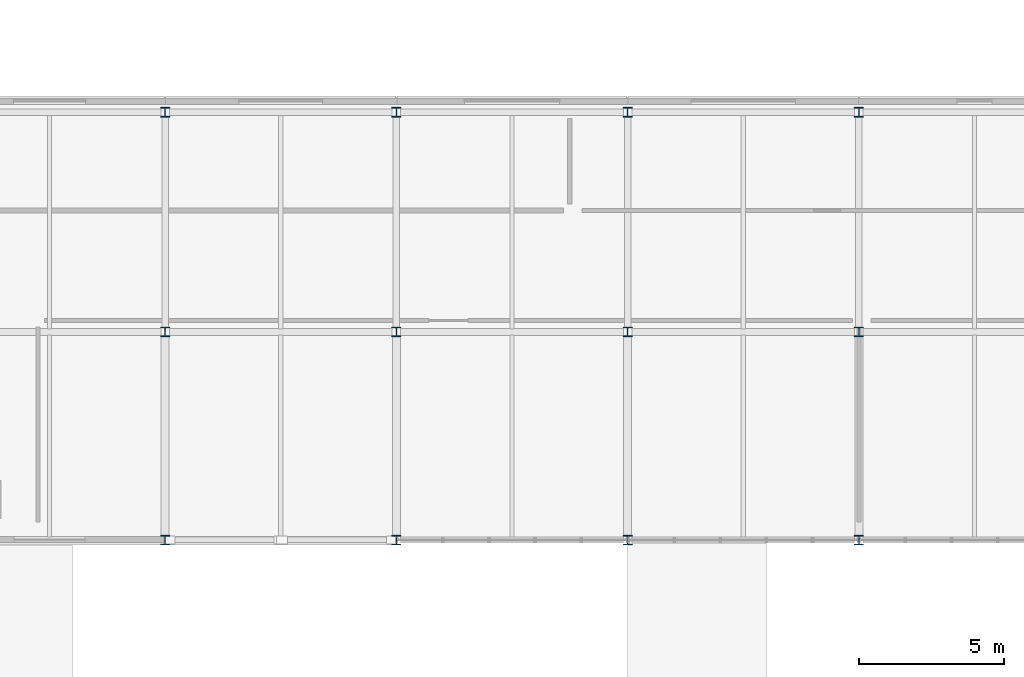
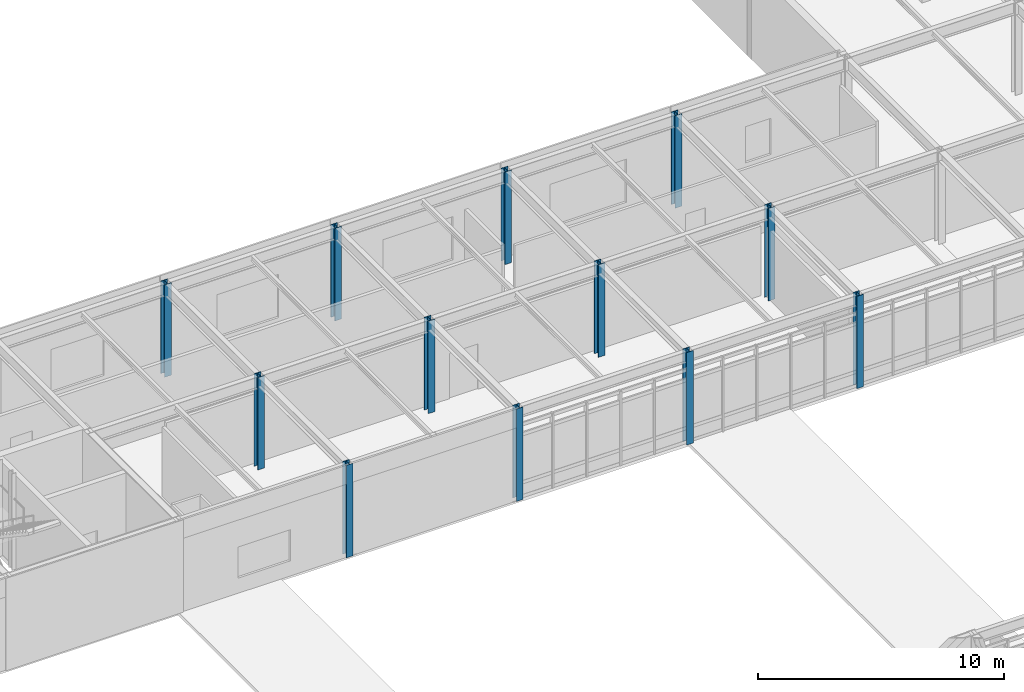
# One storey, part 6 of 100: 12 columns.
"""IFC4 building model written with IfcOpenShell, lengths in metres."""

from ifc_helpers import new_model, si_unit, direction, frame, origin, origin_2d, place, context, subcontext, project, spatial, i_section, extrude, material, material_profile, profile_set, type_object, element, save


model = new_model("IFC4")

# Units and contexts
model_context = context("Model", 3, precision=1e-05, world=origin(), true_north=direction((0.0, 1.0)))
body_context = subcontext(model_context, "Body", "Model", "MODEL_VIEW")
ifc_project = project(units=[si_unit("LENGTHUNIT", "METRE"), si_unit("AREAUNIT", "SQUARE_METRE"), si_unit("VOLUMEUNIT", "CUBIC_METRE"), si_unit("PLANEANGLEUNIT", "RADIAN"), si_unit("MASSUNIT", "GRAM", prefix="KILO")], contexts=[model_context])

# Site, building, storey
site_placement = place(None, origin())
site = spatial("IfcSite", under=ifc_project, at=site_placement, CompositionType="ELEMENT")
building_placement = place(site_placement, origin())
building = spatial("IfcBuilding", under=site, at=building_placement, Name="Zulena Civic Courthouse", CompositionType="ELEMENT")
storey_placement = place(building_placement, frame((0.0, 0.0, 20.39990234375)))
storey = spatial("IfcBuildingStorey", under=building, at=storey_placement, Name="L04", CompositionType="ELEMENT", Elevation=20.39990234375)

# Columns
ifc_material = material(Name="Steel ASTM A992 Grade 50", Category="steel")
ifc_material_profile_1 = material_profile(ifc_material, i_section(OverallWidth=0.31298828125, OverallDepth=0.3330078125, WebThickness=0.01806640625, FlangeThickness=0.0283203125, FilletRadius=0.01513671875, at=origin_2d()), Name="W12X120")
ifc_profile_set_1 = profile_set([ifc_material_profile_1], Name="Steel ASTM A992 Grade 50")
column_type_1 = type_object("IfcColumnType", Name="Col_W12X120", PredefinedType="COLUMN", material=ifc_profile_set_1)
for number, where, z_axis, x_axis, name in (
    (1, (36.0, 53.199951171875, 0.0), (0.0, 0.0, 1.0), (1.0, 0.0, 0.0), "col:V5:L04:36.0:53.2"),
    (2, (36.0, 60.800048828125, 0.0), (0.0, 0.0, 1.0), (1.0, 0.0, 0.0), "col:V5:L04:36.0:60.8"),
    (3, (44.0, 53.199951171875, 0.0), (0.0, 0.0, 1.0), (1.0, 0.0, 0.0), "col:V5:L04:44.0:53.2"),
    (4, (44.0, 60.800048828125, 0.0), (0.0, 0.0, 1.0), (1.0, 0.0, 0.0), "col:V5:L04:44.0:60.8"),
    (5, (52.0, 53.199951171875, 0.0), (0.0, 0.0, 1.0), (1.0, 0.0, 0.0), "col:V5:L04:52.0:53.2"),
    (6, (52.0, 60.800048828125, 0.0), (0.0, 0.0, 1.0), (1.0, 0.0, 0.0), "col:V5:L04:52.0:60.8"),
    (7, (60.0, 53.199951171875, 0.0), (0.0, 0.0, 1.0), (1.0, 0.0, 0.0), "col:V5:L04:60.0:53.2"),
    (8, (60.0, 60.800048828125, 0.0), (0.0, 0.0, 1.0), (1.0, 0.0, 0.0), "col:V5:L04:60.0:60.8"),
):
    element("IfcColumn", number, at=place(storey_placement, frame(where, z_axis=z_axis, x_axis=x_axis)), inside=storey, type_object=column_type_1, Name=name, PredefinedType="COLUMN", context=body_context, shape_type="SweptSolid", body=[
        extrude(i_section(OverallWidth=0.31298828125, OverallDepth=0.3330078125, WebThickness=0.01806640625, FlangeThickness=0.0283203125, FilletRadius=0.01513671875, at=origin_2d()), origin(), (0.0, 0.0, 1.0), 4.59521484375),
    ])
ifc_material_profile_2 = material_profile(ifc_material, i_section(OverallWidth=0.30908203125, OverallDepth=0.322998046875, WebThickness=0.013916015625, FlangeThickness=0.02294921875, FilletRadius=0.01513671875, at=origin_2d()), Name="W12X96")
ifc_profile_set_2 = profile_set([ifc_material_profile_2], Name="Steel ASTM A992 Grade 50")
column_type_2 = type_object("IfcColumnType", Name="Col_W12X96", PredefinedType="COLUMN", material=ifc_profile_set_2)
for number, where, z_axis, x_axis, name in (
    (9, (36.0, 46.0, 0.0), (0.0, 0.0, 1.0), (1.0, 0.0, 0.0), "col:V5:L04:36.0:46.0"),
    (10, (44.0, 46.0, 0.0), (0.0, 0.0, 1.0), (1.0, 0.0, 0.0), "col:V5:L04:44.0:46.0"),
    (11, (52.0, 46.0, 0.0), (0.0, 0.0, 1.0), (1.0, 0.0, 0.0), "col:V5:L04:52.0:46.0"),
    (12, (60.0, 46.0, 0.0), (0.0, 0.0, 1.0), (1.0, 0.0, 0.0), "col:V5:L04:60.0:46.0"),
):
    element("IfcColumn", number, at=place(storey_placement, frame(where, z_axis=z_axis, x_axis=x_axis)), inside=storey, type_object=column_type_2, Name=name, PredefinedType="COLUMN", context=body_context, shape_type="SweptSolid", body=[
        extrude(i_section(OverallWidth=0.30908203125, OverallDepth=0.322998046875, WebThickness=0.013916015625, FlangeThickness=0.02294921875, FilletRadius=0.01513671875, at=origin_2d()), origin(), (0.0, 0.0, 1.0), 4.59521484375),
    ])

save(model, "model.ifc")
